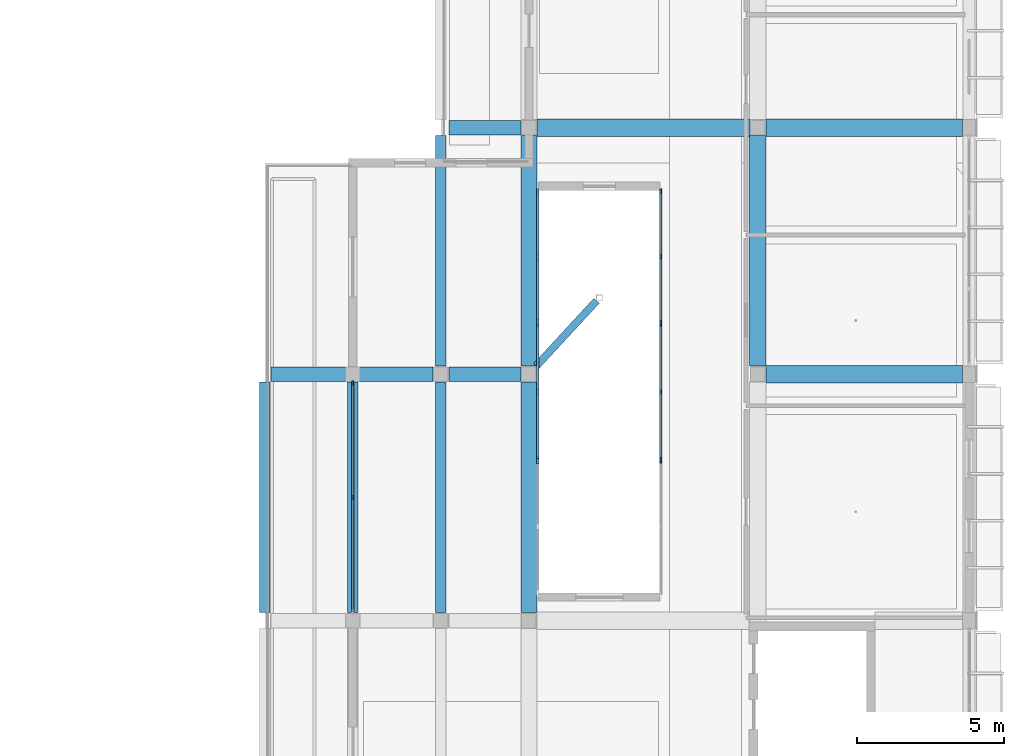
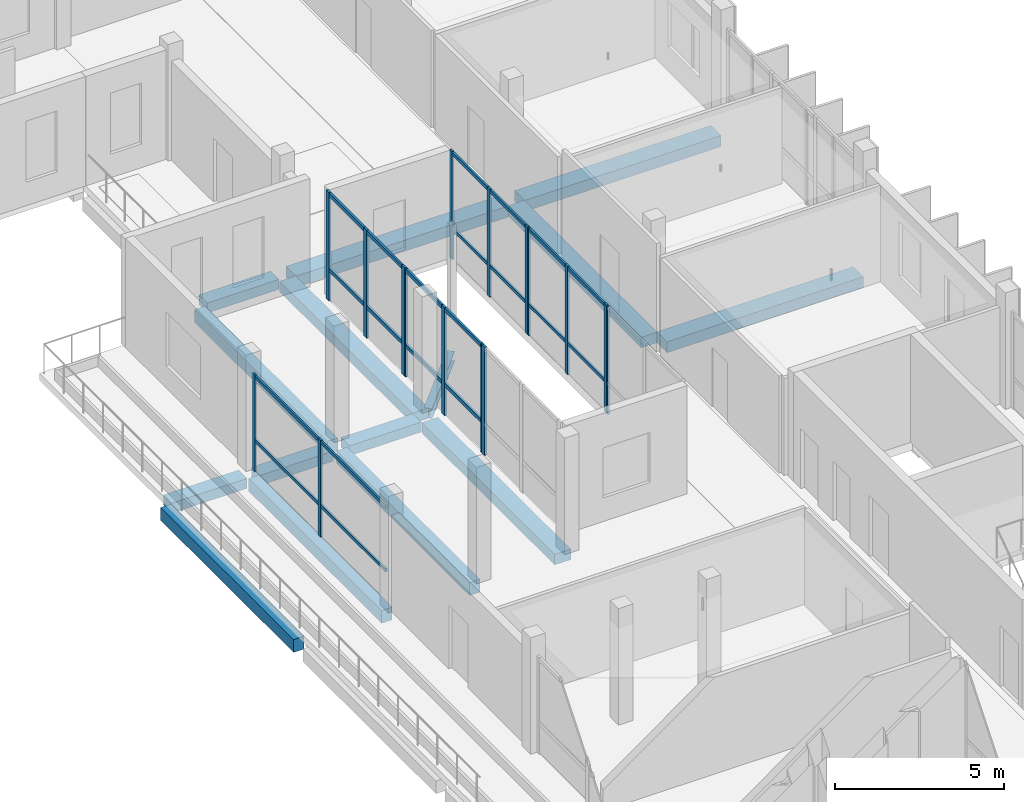
# One storey, part 25 of 85: 26 members, 15 beams, 7 elements without a shape of their own.
"""IFC4 building model written with IfcOpenShell, lengths in metres."""

from ifc_helpers import new_model, si_unit, derived_unit, direction, frame, origin, origin_2d, place, context, subcontext, project, spatial, rectangle, i_section, extrude, material, material_profile, profile_set, type_object, element, aggregate, save


model = new_model("IFC4")

# Units and contexts
model_context = context("Model", 3, precision=1e-05, world=origin(), true_north=direction((0.0, 1.0)))
body_context = subcontext(model_context, "Body", "Model", "MODEL_VIEW")
ifc_project = project(units=[si_unit("LENGTHUNIT", "METRE"), si_unit("AREAUNIT", "SQUARE_METRE"), si_unit("VOLUMEUNIT", "CUBIC_METRE"), si_unit("PLANEANGLEUNIT", "RADIAN"), si_unit("MASSUNIT", "GRAM", prefix="KILO"), derived_unit("THERMALTRANSMITTANCEUNIT", [(si_unit("POWERUNIT", "WATT"), 1), (si_unit("LENGTHUNIT", "METRE"), -2), (si_unit("THERMODYNAMICTEMPERATUREUNIT", "KELVIN"), -1)])], contexts=[model_context])

# Site, building, storey
site_placement = place(None, origin())
site = spatial("IfcSite", under=ifc_project, at=site_placement, CompositionType="ELEMENT")
building_placement = place(site_placement, origin())
building = spatial("IfcBuilding", under=site, at=building_placement, Name="Braskholm Square Health Centre", CompositionType="ELEMENT")
storey_placement = place(building_placement, frame((0.0, 0.0, 9.300048828125)))
storey = spatial("IfcBuildingStorey", under=building, at=storey_placement, Name="L03", CompositionType="ELEMENT", Elevation=9.300048828125)

# Curtain wall, members
ifc_material_1 = material(Name="Low-E triple insulating glass (VLT 0.64)", Category="glass")
curtain_wall_type_1 = type_object("IfcCurtainWallType", Name="UnitisedCurtainWall6200x3650", PredefinedType="NOTDEFINED", material=ifc_material_1)
curtain_wall_1_placement = place(storey_placement, origin())
curtain_wall_1 = element("IfcCurtainWall", 1, at=curtain_wall_1_placement, inside=storey, type_object=curtain_wall_type_1, Name="East Valley unitised curtain wall CW-L03-0126", PredefinedType="NOTDEFINED")
ifc_material_2 = material(Name="Architectural bronze anodised aluminium", Category="aluminium")
ifc_material_profile_1 = material_profile(ifc_material_2, rectangle(XDim=0.06494140625, YDim=0.14990234375, at=origin_2d()), Name="ALU-65X150")
ifc_profile_set_1 = profile_set([ifc_material_profile_1], Name="Architectural bronze anodised aluminium")
member_type_1 = type_object("IfcMemberType", Name="CurtainWallMullion65x150", PredefinedType="MULLION", material=ifc_profile_set_1)
member_1_placement = place(storey_placement, frame((142.800048828125, 71.892578125, 0.0), z_axis=(0.0, 0.0, 1.0), x_axis=(1.0, 0.0, 0.0)))
member_1 = element("IfcMember", 2, at=member_1_placement, type_object=member_type_1, Name="CW-L03-0126 vertical mullion 1", PredefinedType="MULLION", context=body_context, shape_type="SweptSolid", body=[
    extrude(rectangle(XDim=0.06494140625, YDim=0.14990234375, at=origin_2d()), origin(), (0.0, 0.0, 1.0), 3.489990234375),
])
member_2_placement = place(storey_placement, frame((142.800048828125, 68.0, 0.0), z_axis=(0.0, 0.0, 1.0), x_axis=(1.0, 0.0, 0.0)))
member_2 = element("IfcMember", 3, at=member_2_placement, type_object=member_type_1, Name="CW-L03-0126 vertical mullion 2", PredefinedType="MULLION", context=body_context, shape_type="SweptSolid", body=[
    extrude(rectangle(XDim=0.06494140625, YDim=0.14990234375, at=origin_2d()), origin(), (0.0, 0.0, 1.0), 3.489990234375),
])

# Curtain wall, member
curtain_wall_type_2 = type_object("IfcCurtainWallType", Name="UnitisedCurtainWall4800x3800", PredefinedType="NOTDEFINED", material=ifc_material_1)
curtain_wall_2_placement = place(storey_placement, origin())
curtain_wall_2 = element("IfcCurtainWall", 4, at=curtain_wall_2_placement, inside=storey, type_object=curtain_wall_type_2, Name="EC2 Court E unitised curtain wall CW-L03-0364", PredefinedType="NOTDEFINED")
member_3_placement = place(storey_placement, frame((153.300048828125, 69.23486328125, 0.0), z_axis=(0.0, 0.0, 1.0), x_axis=(1.0, 0.0, 0.0)))
member_3 = element("IfcMember", 5, at=member_3_placement, type_object=member_type_1, Name="CW-L03-0364 vertical mullion 1", PredefinedType="MULLION", context=body_context, shape_type="SweptSolid", body=[
    extrude(rectangle(XDim=0.06494140625, YDim=0.14990234375, at=origin_2d()), origin(), (0.0, 0.0, 1.0), 3.89990234375),
])
aggregate(curtain_wall_2, [member_3])

# Curtain wall, members
curtain_wall_3_placement = place(storey_placement, origin())
curtain_wall_3 = element("IfcCurtainWall", 6, at=curtain_wall_3_placement, inside=storey, type_object=curtain_wall_type_2, Name="EC2 Court E unitised curtain wall CW-L03-0366", PredefinedType="NOTDEFINED")
member_4_placement = place(storey_placement, frame((153.300048828125, 73.900146484375, 0.0), z_axis=(0.0, 0.0, 1.0), x_axis=(1.0, 0.0, 0.0)))
member_4 = element("IfcMember", 7, at=member_4_placement, type_object=member_type_1, Name="CW-L03-0366 vertical mullion 1", PredefinedType="MULLION", context=body_context, shape_type="SweptSolid", body=[
    extrude(rectangle(XDim=0.06494140625, YDim=0.14990234375, at=origin_2d()), origin(), (0.0, 0.0, 1.0), 3.89990234375),
])
member_5_placement = place(storey_placement, frame((153.300048828125, 71.60009765625, 0.0), z_axis=(0.0, 0.0, 1.0), x_axis=(1.0, 0.0, 0.0)))
member_5 = element("IfcMember", 8, at=member_5_placement, type_object=member_type_1, Name="CW-L03-0366 vertical mullion 2", PredefinedType="MULLION", context=body_context, shape_type="SweptSolid", body=[
    extrude(rectangle(XDim=0.06494140625, YDim=0.14990234375, at=origin_2d()), origin(), (0.0, 0.0, 1.0), 3.89990234375),
])
member_6_placement = place(storey_placement, frame((153.300048828125, 69.2998046875, 0.0), z_axis=(0.0, 0.0, 1.0), x_axis=(1.0, 0.0, 0.0)))
member_6 = element("IfcMember", 9, at=member_6_placement, type_object=member_type_1, Name="CW-L03-0366 vertical mullion 3", PredefinedType="MULLION", context=body_context, shape_type="SweptSolid", body=[
    extrude(rectangle(XDim=0.06494140625, YDim=0.14990234375, at=origin_2d()), origin(), (0.0, 0.0, 1.0), 3.89990234375),
])

curtain_wall_4_placement = place(storey_placement, origin())
curtain_wall_4 = element("IfcCurtainWall", 10, at=curtain_wall_4_placement, inside=storey, type_object=curtain_wall_type_2, Name="EC2 Court E unitised curtain wall CW-L03-0368", PredefinedType="NOTDEFINED")
member_7_placement = place(storey_placement, frame((153.300048828125, 78.432861328125, 0.0), z_axis=(0.0, 0.0, 1.0), x_axis=(1.0, 0.0, 0.0)))
member_7 = element("IfcMember", 11, at=member_7_placement, type_object=member_type_1, Name="CW-L03-0368 vertical mullion 1", PredefinedType="MULLION", context=body_context, shape_type="SweptSolid", body=[
    extrude(rectangle(XDim=0.06494140625, YDim=0.14990234375, at=origin_2d()), origin(), (0.0, 0.0, 1.0), 3.89990234375),
])
member_8_placement = place(storey_placement, frame((153.300048828125, 76.198974609375, 0.0), z_axis=(0.0, 0.0, 1.0), x_axis=(1.0, 0.0, 0.0)))
member_8 = element("IfcMember", 12, at=member_8_placement, type_object=member_type_1, Name="CW-L03-0368 vertical mullion 2", PredefinedType="MULLION", context=body_context, shape_type="SweptSolid", body=[
    extrude(rectangle(XDim=0.06494140625, YDim=0.14990234375, at=origin_2d()), origin(), (0.0, 0.0, 1.0), 3.89990234375),
])
member_9_placement = place(storey_placement, frame((153.300048828125, 73.965087890625, 0.0), z_axis=(0.0, 0.0, 1.0), x_axis=(1.0, 0.0, 0.0)))
member_9 = element("IfcMember", 13, at=member_9_placement, type_object=member_type_1, Name="CW-L03-0368 vertical mullion 3", PredefinedType="MULLION", context=body_context, shape_type="SweptSolid", body=[
    extrude(rectangle(XDim=0.06494140625, YDim=0.14990234375, at=origin_2d()), origin(), (0.0, 0.0, 1.0), 3.89990234375),
])

# Curtain wall, member
curtain_wall_5_placement = place(storey_placement, origin())
curtain_wall_5 = element("IfcCurtainWall", 14, at=curtain_wall_5_placement, inside=storey, type_object=curtain_wall_type_2, Name="EC2 Court W unitised curtain wall CW-L03-0363", PredefinedType="NOTDEFINED")
ifc_material_profile_2 = material_profile(ifc_material_2, rectangle(XDim=0.074951171875, YDim=0.179931640625, at=origin_2d()), Name="ALU-75X180")
ifc_profile_set_2 = profile_set([ifc_material_profile_2], Name="Architectural bronze anodised aluminium")
member_type_2 = type_object("IfcMemberType", Name="CurtainWallMullion75x180", PredefinedType="MULLION", material=ifc_profile_set_2)
member_10_placement = place(storey_placement, frame((149.10009765625, 69.23486328125, 0.0), z_axis=(0.0, 0.0, 1.0), x_axis=(1.0, 0.0, 0.0)))
member_10 = element("IfcMember", 15, at=member_10_placement, type_object=member_type_2, Name="CW-L03-0363 vertical mullion 3", PredefinedType="MULLION", context=body_context, shape_type="SweptSolid", body=[
    extrude(rectangle(XDim=0.074951171875, YDim=0.179931640625, at=origin_2d()), origin(), (0.0, 0.0, 1.0), 3.89990234375),
])
aggregate(curtain_wall_5, [member_10])

# Curtain wall, members
curtain_wall_6_placement = place(storey_placement, origin())
curtain_wall_6 = element("IfcCurtainWall", 16, at=curtain_wall_6_placement, inside=storey, type_object=curtain_wall_type_2, Name="EC2 Court W unitised curtain wall CW-L03-0365", PredefinedType="NOTDEFINED")
member_11_placement = place(storey_placement, frame((149.10009765625, 69.2998046875, 0.0), z_axis=(0.0, 0.0, 1.0), x_axis=(1.0, 0.0, 0.0)))
member_11 = element("IfcMember", 17, at=member_11_placement, type_object=member_type_2, Name="CW-L03-0365 vertical mullion 1", PredefinedType="MULLION", context=body_context, shape_type="SweptSolid", body=[
    extrude(rectangle(XDim=0.074951171875, YDim=0.179931640625, at=origin_2d()), origin(), (0.0, 0.0, 1.0), 3.89990234375),
])
member_12_placement = place(storey_placement, frame((149.10009765625, 71.60009765625, 0.0), z_axis=(0.0, 0.0, 1.0), x_axis=(1.0, 0.0, 0.0)))
member_12 = element("IfcMember", 18, at=member_12_placement, type_object=member_type_2, Name="CW-L03-0365 vertical mullion 2", PredefinedType="MULLION", context=body_context, shape_type="SweptSolid", body=[
    extrude(rectangle(XDim=0.074951171875, YDim=0.179931640625, at=origin_2d()), origin(), (0.0, 0.0, 1.0), 3.89990234375),
])
member_13_placement = place(storey_placement, frame((149.10009765625, 73.900146484375, 0.0), z_axis=(0.0, 0.0, 1.0), x_axis=(1.0, 0.0, 0.0)))
member_13 = element("IfcMember", 19, at=member_13_placement, type_object=member_type_2, Name="CW-L03-0365 vertical mullion 3", PredefinedType="MULLION", context=body_context, shape_type="SweptSolid", body=[
    extrude(rectangle(XDim=0.074951171875, YDim=0.179931640625, at=origin_2d()), origin(), (0.0, 0.0, 1.0), 3.89990234375),
])

curtain_wall_7_placement = place(storey_placement, origin())
curtain_wall_7 = element("IfcCurtainWall", 20, at=curtain_wall_7_placement, inside=storey, type_object=curtain_wall_type_2, Name="EC2 Court W unitised curtain wall CW-L03-0367", PredefinedType="NOTDEFINED")
member_14_placement = place(storey_placement, frame((149.10009765625, 73.965087890625, 0.0), z_axis=(0.0, 0.0, 1.0), x_axis=(1.0, 0.0, 0.0)))
member_14 = element("IfcMember", 21, at=member_14_placement, type_object=member_type_2, Name="CW-L03-0367 vertical mullion 1", PredefinedType="MULLION", context=body_context, shape_type="SweptSolid", body=[
    extrude(rectangle(XDim=0.074951171875, YDim=0.179931640625, at=origin_2d()), origin(), (0.0, 0.0, 1.0), 3.89990234375),
])
member_15_placement = place(storey_placement, frame((149.10009765625, 76.198974609375, 0.0), z_axis=(0.0, 0.0, 1.0), x_axis=(1.0, 0.0, 0.0)))
member_15 = element("IfcMember", 22, at=member_15_placement, type_object=member_type_2, Name="CW-L03-0367 vertical mullion 2", PredefinedType="MULLION", context=body_context, shape_type="SweptSolid", body=[
    extrude(rectangle(XDim=0.074951171875, YDim=0.179931640625, at=origin_2d()), origin(), (0.0, 0.0, 1.0), 3.89990234375),
])
member_16_placement = place(storey_placement, frame((149.10009765625, 78.432861328125, 0.0), z_axis=(0.0, 0.0, 1.0), x_axis=(1.0, 0.0, 0.0)))
member_16 = element("IfcMember", 23, at=member_16_placement, type_object=member_type_2, Name="CW-L03-0367 vertical mullion 3", PredefinedType="MULLION", context=body_context, shape_type="SweptSolid", body=[
    extrude(rectangle(XDim=0.074951171875, YDim=0.179931640625, at=origin_2d()), origin(), (0.0, 0.0, 1.0), 3.89990234375),
])

# Member
ifc_material_profile_3 = material_profile(ifc_material_2, rectangle(XDim=0.06494140625, YDim=0.1201171875, at=origin_2d()), Name="ALU-65X120")
ifc_profile_set_3 = profile_set([ifc_material_profile_3], Name="Architectural bronze anodised aluminium")
member_type_3 = type_object("IfcMemberType", Name="CurtainWallTransom65x120", PredefinedType="USERDEFINED", material=ifc_profile_set_3)
member_17_placement = place(storey_placement, frame((142.800048828125, 71.89501953125, 1.119873046875), z_axis=(0.0, -1.0, 0.0), x_axis=(1.0, 0.0, 0.0)))
member_17 = element("IfcMember", 24, at=member_17_placement, type_object=member_type_3, Name="CW-L03-0126 horizontal transom 1", ObjectType="TRANSOM", PredefinedType="USERDEFINED", context=body_context, shape_type="SweptSolid", body=[
    extrude(rectangle(XDim=0.06494140625, YDim=0.1201171875, at=origin_2d()), origin(), (0.0, 0.0, 1.0), 7.7900390625),
])

member_18_placement = place(storey_placement, frame((142.800048828125, 71.89501953125, 3.419921875), z_axis=(0.0, -1.0, 0.0), x_axis=(1.0, 0.0, 0.0)))
member_18 = element("IfcMember", 25, at=member_18_placement, type_object=member_type_3, Name="CW-L03-0126 horizontal transom 2", ObjectType="TRANSOM", PredefinedType="USERDEFINED", context=body_context, shape_type="SweptSolid", body=[
    extrude(rectangle(XDim=0.06494140625, YDim=0.1201171875, at=origin_2d()), origin(), (0.0, 0.0, 1.0), 7.7900390625),
])

aggregate(curtain_wall_1, [member_1, member_2, member_17, member_18])

member_19_placement = place(storey_placement, frame((153.300048828125, 73.883056640625, 1.119873046875), z_axis=(0.0, -1.0, 0.0), x_axis=(1.0, 0.0, 0.0)))
member_19 = element("IfcMember", 26, at=member_19_placement, type_object=member_type_3, Name="CW-L03-0366 horizontal transom 1", ObjectType="TRANSOM", PredefinedType="USERDEFINED", context=body_context, shape_type="SweptSolid", body=[
    extrude(rectangle(XDim=0.06494140625, YDim=0.1201171875, at=origin_2d()), origin(), (0.0, 0.0, 1.0), 4.566162109375),
])

member_20_placement = place(storey_placement, frame((153.300048828125, 73.883056640625, 3.829833984375), z_axis=(0.0, -1.0, 0.0), x_axis=(1.0, 0.0, 0.0)))
member_20 = element("IfcMember", 27, at=member_20_placement, type_object=member_type_3, Name="CW-L03-0366 horizontal transom 2", ObjectType="TRANSOM", PredefinedType="USERDEFINED", context=body_context, shape_type="SweptSolid", body=[
    extrude(rectangle(XDim=0.06494140625, YDim=0.1201171875, at=origin_2d()), origin(), (0.0, 0.0, 1.0), 4.566162109375),
])

aggregate(curtain_wall_3, [member_4, member_5, member_6, member_19, member_20])

member_21_placement = place(storey_placement, frame((153.300048828125, 78.4150390625, 1.119873046875), z_axis=(0.0, -1.0, 0.0), x_axis=(1.0, 0.0, 0.0)))
member_21 = element("IfcMember", 28, at=member_21_placement, type_object=member_type_3, Name="CW-L03-0368 horizontal transom 1", ObjectType="TRANSOM", PredefinedType="USERDEFINED", context=body_context, shape_type="SweptSolid", body=[
    extrude(rectangle(XDim=0.06494140625, YDim=0.1201171875, at=origin_2d()), origin(), (0.0, 0.0, 1.0), 4.43212890625),
])

member_22_placement = place(storey_placement, frame((153.300048828125, 78.4150390625, 3.829833984375), z_axis=(0.0, -1.0, 0.0), x_axis=(1.0, 0.0, 0.0)))
member_22 = element("IfcMember", 29, at=member_22_placement, type_object=member_type_3, Name="CW-L03-0368 horizontal transom 2", ObjectType="TRANSOM", PredefinedType="USERDEFINED", context=body_context, shape_type="SweptSolid", body=[
    extrude(rectangle(XDim=0.06494140625, YDim=0.1201171875, at=origin_2d()), origin(), (0.0, 0.0, 1.0), 4.43212890625),
])

aggregate(curtain_wall_4, [member_7, member_8, member_9, member_21, member_22])

ifc_material_profile_4 = material_profile(ifc_material_2, rectangle(XDim=0.074951171875, YDim=0.139892578125, at=origin_2d()), Name="ALU-75X140")
ifc_profile_set_4 = profile_set([ifc_material_profile_4], Name="Architectural bronze anodised aluminium")
member_type_4 = type_object("IfcMemberType", Name="CurtainWallTransom75x140", PredefinedType="USERDEFINED", material=ifc_profile_set_4)
member_23_placement = place(storey_placement, frame((149.10009765625, 69.31689453125, 1.119873046875), z_axis=(0.0, 1.0, 0.0), x_axis=(-1.0, 0.0, 0.0)))
member_23 = element("IfcMember", 30, at=member_23_placement, type_object=member_type_4, Name="CW-L03-0365 horizontal transom 1", ObjectType="TRANSOM", PredefinedType="USERDEFINED", context=body_context, shape_type="SweptSolid", body=[
    extrude(rectangle(XDim=0.074951171875, YDim=0.139892578125, at=origin_2d()), origin(), (0.0, 0.0, 1.0), 4.566162109375),
])

member_24_placement = place(storey_placement, frame((149.10009765625, 69.31689453125, 3.829833984375), z_axis=(0.0, 1.0, 0.0), x_axis=(-1.0, 0.0, 0.0)))
member_24 = element("IfcMember", 31, at=member_24_placement, type_object=member_type_4, Name="CW-L03-0365 horizontal transom 2", ObjectType="TRANSOM", PredefinedType="USERDEFINED", context=body_context, shape_type="SweptSolid", body=[
    extrude(rectangle(XDim=0.074951171875, YDim=0.139892578125, at=origin_2d()), origin(), (0.0, 0.0, 1.0), 4.566162109375),
])

aggregate(curtain_wall_6, [member_11, member_12, member_13, member_23, member_24])

member_25_placement = place(storey_placement, frame((149.10009765625, 73.98291015625, 1.119873046875), z_axis=(0.0, 1.0, 0.0), x_axis=(-1.0, 0.0, 0.0)))
member_25 = element("IfcMember", 32, at=member_25_placement, type_object=member_type_4, Name="CW-L03-0367 horizontal transom 1", ObjectType="TRANSOM", PredefinedType="USERDEFINED", context=body_context, shape_type="SweptSolid", body=[
    extrude(rectangle(XDim=0.074951171875, YDim=0.139892578125, at=origin_2d()), origin(), (0.0, 0.0, 1.0), 4.43212890625),
])

member_26_placement = place(storey_placement, frame((149.10009765625, 73.98291015625, 3.829833984375), z_axis=(0.0, 1.0, 0.0), x_axis=(-1.0, 0.0, 0.0)))
member_26 = element("IfcMember", 33, at=member_26_placement, type_object=member_type_4, Name="CW-L03-0367 horizontal transom 2", ObjectType="TRANSOM", PredefinedType="USERDEFINED", context=body_context, shape_type="SweptSolid", body=[
    extrude(rectangle(XDim=0.074951171875, YDim=0.139892578125, at=origin_2d()), origin(), (0.0, 0.0, 1.0), 4.43212890625),
])

aggregate(curtain_wall_7, [member_14, member_15, member_16, member_25, member_26])

# Beams
ifc_material_3 = material(Name="Concrete C35/45 (f'c = 35 MPa)", Category="concrete")
ifc_material_profile_5 = material_profile(ifc_material_3, rectangle(XDim=0.5, YDim=0.360107421875, at=origin_2d()), Name="RCB-500X360")
ifc_profile_set_5 = profile_set([ifc_material_profile_5], Name="Concrete C35/45 (f'c = 35 MPa)")
beam_type_1 = type_object("IfcBeamType", Name="PrimaryBandBeam500x360", PredefinedType="BEAM", material=ifc_profile_set_5)
beam_1_placement = place(storey_placement, frame((140.02001953125, 72.199951171875, -0.429931640625), z_axis=(1.0, 0.0, 0.0), x_axis=(0.0, 1.0, 0.0)))
element("IfcBeam", 34, at=beam_1_placement, inside=storey, type_object=beam_type_1, Name="Beam 17-18/L L03", PredefinedType="BEAM", context=body_context, shape_type="SweptSolid", body=[
    extrude(rectangle(XDim=0.5, YDim=0.360107421875, at=origin_2d()), origin(), (0.0, 0.0, 1.0), 2.56005859375),
])
beam_2_placement = place(storey_placement, frame((143.02001953125, 72.199951171875, -0.47998046875), z_axis=(1.0, 0.0, 0.0), x_axis=(0.0, 1.0, 0.0)))
element("IfcBeam", 35, at=beam_2_placement, inside=storey, type_object=beam_type_1, Name="Beam 18-19/L L03", PredefinedType="BEAM", context=body_context, shape_type="SweptSolid", body=[
    extrude(rectangle(XDim=0.5, YDim=0.360107421875, at=origin_2d()), origin(), (0.0, 0.0, 1.0), 2.5048828125),
])
for number, where, z_axis, x_axis, name in (
    (36, (146.074951171875, 72.199951171875, -0.47998046875), (1.0, 0.0, 0.0), (0.0, 1.0, 0.0), "Beam 19-20/L L03"),
    (37, (146.074951171875, 80.60009765625, -0.429931640625), (1.0, 0.0, 0.0), (0.0, 1.0, 0.0), "Beam 19-20/M L03"),
):
    element("IfcBeam", number, at=place(storey_placement, frame(where, z_axis=z_axis, x_axis=x_axis)), inside=storey, type_object=beam_type_1, Name=name, PredefinedType="BEAM", context=body_context, shape_type="SweptSolid", body=[
        extrude(rectangle(XDim=0.5, YDim=0.360107421875, at=origin_2d()), origin(), (0.0, 0.0, 1.0), 2.449951171875),
    ])
ifc_material_profile_6 = material_profile(ifc_material_3, rectangle(XDim=0.550048828125, YDim=0.3798828125, at=origin_2d()), Name="RCB-550X380")
ifc_profile_set_6 = profile_set([ifc_material_profile_6], Name="Concrete C35/45 (f'c = 35 MPa)")
beam_type_2 = type_object("IfcBeamType", Name="PrimaryBandBeam550x380", PredefinedType="BEAM", material=ifc_profile_set_6)
beam_3_placement = place(storey_placement, frame((148.800048828125, 64.074951171875, -0.489990234375), z_axis=(0.0, 1.0, 0.0), x_axis=(-1.0, 0.0, 0.0)))
element("IfcBeam", 38, at=beam_3_placement, inside=storey, type_object=beam_type_2, Name="Beam 20/K-L L03", PredefinedType="BEAM", context=body_context, shape_type="SweptSolid", body=[
    extrude(rectangle(XDim=0.550048828125, YDim=0.3798828125, at=origin_2d()), origin(), (0.0, 0.0, 1.0), 7.85009765625),
])
for number, where, z_axis, x_axis, name in (
    (39, (148.800048828125, 72.47509765625, -0.489990234375), (0.0, 1.0, 0.0), (-1.0, 0.0, 0.0), "Beam 20/L-M L03"),
    (40, (156.60009765625, 72.47509765625, -0.489990234375), (0.0, 1.0, 0.0), (-1.0, 0.0, 0.0), "Beam 21/L-M L03"),
):
    element("IfcBeam", number, at=place(storey_placement, frame(where, z_axis=z_axis, x_axis=x_axis)), inside=storey, type_object=beam_type_2, Name=name, PredefinedType="BEAM", context=body_context, shape_type="SweptSolid", body=[
        extrude(rectangle(XDim=0.550048828125, YDim=0.3798828125, at=origin_2d()), origin(), (0.0, 0.0, 1.0), 7.849853515625),
    ])
ifc_material_profile_7 = material_profile(ifc_material_3, rectangle(XDim=0.60009765625, YDim=0.39990234375, at=origin_2d()), Name="RCB-600X400")
ifc_profile_set_7 = profile_set([ifc_material_profile_7], Name="Concrete C35/45 (f'c = 35 MPa)")
beam_type_3 = type_object("IfcBeamType", Name="PrimaryBandBeam600x400", PredefinedType="BEAM", material=ifc_profile_set_7)
beam_4_placement = place(storey_placement, frame((156.875, 72.199951171875, -0.5), z_axis=(1.0, 0.0, 0.0), x_axis=(0.0, 1.0, 0.0)))
element("IfcBeam", 41, at=beam_4_placement, inside=storey, type_object=beam_type_3, Name="Beam 21-22/L L03", PredefinedType="BEAM", context=body_context, shape_type="SweptSolid", body=[
    extrude(rectangle(XDim=0.60009765625, YDim=0.39990234375, at=origin_2d()), origin(), (0.0, 0.0, 1.0), 6.695068359375),
])
beam_5_placement = place(storey_placement, frame((149.074951171875, 80.60009765625, -0.5), z_axis=(1.0, 0.0, 0.0), x_axis=(0.0, 1.0, 0.0)))
element("IfcBeam", 42, at=beam_5_placement, inside=storey, type_object=beam_type_3, Name="Beam 20-21/M L03", PredefinedType="BEAM", context=body_context, shape_type="SweptSolid", body=[
    extrude(rectangle(XDim=0.60009765625, YDim=0.39990234375, at=origin_2d()), origin(), (0.0, 0.0, 1.0), 7.25),
])
beam_6_placement = place(storey_placement, frame((156.875, 80.60009765625, -0.5), z_axis=(1.0, 0.0, 0.0), x_axis=(0.0, 1.0, 0.0)))
element("IfcBeam", 43, at=beam_6_placement, inside=storey, type_object=beam_type_3, Name="Beam 21-22/M L03", PredefinedType="BEAM", context=body_context, shape_type="SweptSolid", body=[
    extrude(rectangle(XDim=0.60009765625, YDim=0.39990234375, at=origin_2d()), origin(), (0.0, 0.0, 1.0), 6.695068359375),
])
ifc_material_4 = material(Name="Precast concrete C40/50 architectural white", Category="concrete")
ifc_material_profile_8 = material_profile(ifc_material_4, rectangle(XDim=0.360107421875, YDim=0.4599609375, at=origin_2d()), Name="RCB-360X460")
ifc_profile_set_8 = profile_set([ifc_material_profile_8], Name="Precast concrete C40/50 architectural white")
beam_type_4 = type_object("IfcBeamType", Name="SpandrelTerraceEdge360x460", PredefinedType="SPANDREL", material=ifc_profile_set_8)
for number, where, z_axis, x_axis, name in (
    (44, (139.800048828125, 64.070068359375, -0.47998046875), (0.0, 1.0, 0.0), (-1.0, 0.0, 0.0), "Beam 17/K-L L03"),
    (45, (142.800048828125, 64.070068359375, -0.47998046875), (0.0, 1.0, 0.0), (-1.0, 0.0, 0.0), "Beam 18/K-L L03"),
):
    element("IfcBeam", number, at=place(storey_placement, frame(where, z_axis=z_axis, x_axis=x_axis)), inside=storey, type_object=beam_type_4, Name=name, PredefinedType="SPANDREL", context=body_context, shape_type="SweptSolid", body=[
        extrude(rectangle(XDim=0.360107421875, YDim=0.4599609375, at=origin_2d()), origin(), (0.0, 0.0, 1.0), 7.85986328125),
    ])
beam_7_placement = place(storey_placement, frame((145.800048828125, 64.074951171875, -0.530029296875), z_axis=(0.0, 1.0, 0.0), x_axis=(-1.0, 0.0, 0.0)))
element("IfcBeam", 46, at=beam_7_placement, inside=storey, type_object=beam_type_4, Name="Beam 19/K-L L03", PredefinedType="SPANDREL", context=body_context, shape_type="SweptSolid", body=[
    extrude(rectangle(XDim=0.360107421875, YDim=0.4599609375, at=origin_2d()), origin(), (0.0, 0.0, 1.0), 7.85009765625),
])
beam_8_placement = place(storey_placement, frame((145.800048828125, 72.47509765625, -0.530029296875), z_axis=(0.0, 1.0, 0.0), x_axis=(-1.0, 0.0, 0.0)))
element("IfcBeam", 47, at=beam_8_placement, inside=storey, type_object=beam_type_4, Name="Beam 19/L-M L03", PredefinedType="SPANDREL", context=body_context, shape_type="SweptSolid", body=[
    extrude(rectangle(XDim=0.360107421875, YDim=0.4599609375, at=origin_2d()), origin(), (0.0, 0.0, 1.0), 7.849853515625),
])
ifc_material_5 = material(Name="Steel ASTM A992 Grade 50", Category="steel")
ifc_material_profile_9 = material_profile(ifc_material_5, i_section(OverallWidth=0.2548828125, OverallDepth=0.35693359375, WebThickness=0.010498046875, FlangeThickness=0.018310546875, at=origin_2d()), Name="W14X68")
ifc_profile_set_9 = profile_set([ifc_material_profile_9], Name="Steel ASTM A992 Grade 50")
beam_type_5 = type_object("IfcBeamType", Name="SteelBeamCanopyW14X68", PredefinedType="BEAM", material=ifc_profile_set_9)
beam_9_placement = place(storey_placement, frame((151.107666015625, 74.699951171875, -0.478515625), z_axis=(-0.678260023689, -0.734821978622, 0.0), x_axis=(0.734821978622, -0.678260023689, 0.0)))
element("IfcBeam", 48, at=beam_9_placement, inside=storey, type_object=beam_type_5, Name="Tie beam CS3F L03", PredefinedType="BEAM", context=body_context, shape_type="SweptSolid", body=[
    extrude(i_section(OverallWidth=0.2548828125, OverallDepth=0.35693359375, WebThickness=0.010498046875, FlangeThickness=0.018310546875, at=origin_2d()), origin(), (0.0, 0.0, 1.0), 3.030029296875),
])

save(model, "model.ifc")
